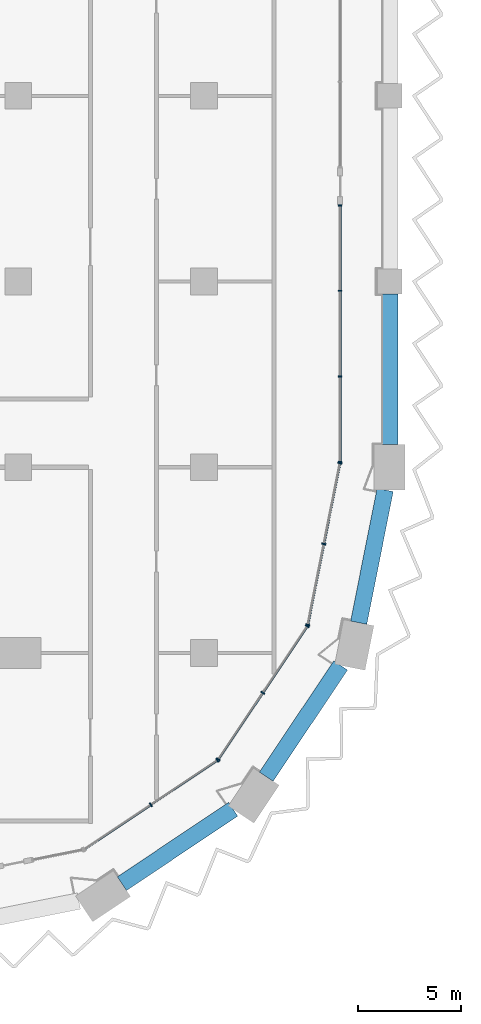
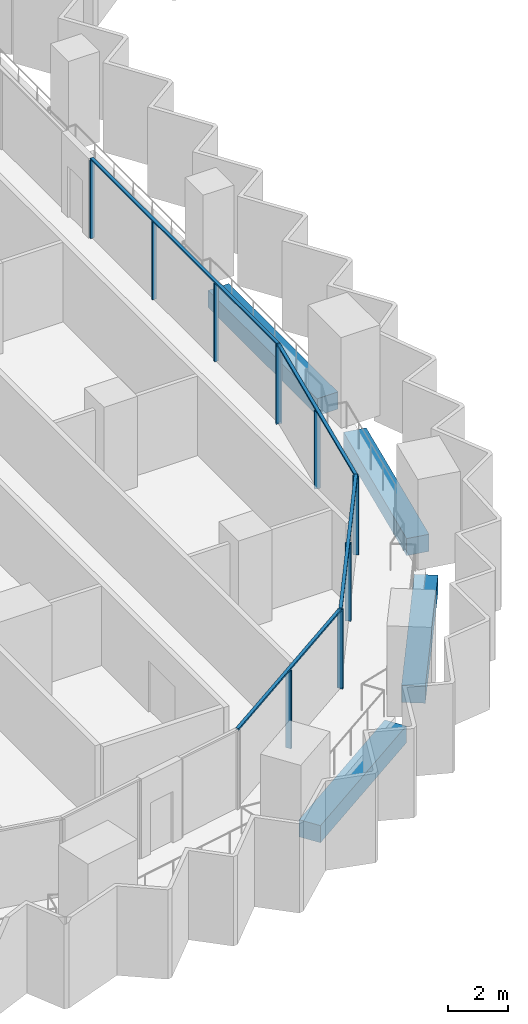
# One storey, part 3 of 23: 16 members, 4 beams, 4 elements without a shape of their own.
"""IFC4 building model written with IfcOpenShell, lengths in metres."""

from ifc_helpers import new_model, si_unit, direction, frame, origin, origin_2d, place, context, subcontext, project, spatial, rectangle, extrude, material, material_profile, profile_set, type_object, element, aggregate, save


model = new_model("IFC4")

# Units and contexts
model_context = context("Model", 3, precision=1e-05, world=origin(), true_north=direction((0.0, 1.0)))
body_context = subcontext(model_context, "Body", "Model", "MODEL_VIEW")
ifc_project = project(units=[si_unit("LENGTHUNIT", "METRE"), si_unit("AREAUNIT", "SQUARE_METRE"), si_unit("VOLUMEUNIT", "CUBIC_METRE"), si_unit("PLANEANGLEUNIT", "RADIAN"), si_unit("MASSUNIT", "GRAM", prefix="KILO")], contexts=[model_context])

# Site, building, storey
site_placement = place(None, origin())
site = spatial("IfcSite", under=ifc_project, at=site_placement, CompositionType="ELEMENT")
building_placement = place(site_placement, origin())
building = spatial("IfcBuilding", under=site, at=building_placement, Name="Hunhe Ridgeline Campus", CompositionType="ELEMENT")
storey_placement = place(building_placement, frame((0.0, 0.0, 125.5)))
storey = spatial("IfcBuildingStorey", under=building, at=storey_placement, Name="L31", CompositionType="ELEMENT", Elevation=125.5)

# Curtain wall, members
ifc_material_1 = material(Name="Aluminium 6063", Category="aluminium")
curtain_wall_type_1 = type_object("IfcCurtainWallType", Name="Curtain wall CW-1", PredefinedType="NOTDEFINED", material=ifc_material_1)
curtain_wall_1_placement = place(storey_placement, origin())
curtain_wall_1 = element("IfcCurtainWall", 1, at=curtain_wall_1_placement, inside=storey, type_object=curtain_wall_type_1, Name="Curtain wall 11", PredefinedType="NOTDEFINED")
ifc_material_profile_1 = material_profile(ifc_material_1, rectangle(XDim=0.159912109375, YDim=0.06005859375, at=origin_2d()))
ifc_profile_set_1 = profile_set([ifc_material_profile_1], Name="Aluminium 6063")
member_type_1 = type_object("IfcMemberType", Name="CW-1 aluminium mullion", PredefinedType="MULLION", material=ifc_profile_set_1)
member_1_placement = place(storey_placement, frame((42.59912109375, 27.266357421875, 0.0), z_axis=(0.0, 0.0, 1.0), x_axis=(-0.99999999994, 1.0975712e-05, 0.0)))
member_1 = element("IfcMember", 2, at=member_1_placement, type_object=member_type_1, Name="CW-1 mullion 1", PredefinedType="MULLION", context=body_context, shape_type="SweptSolid", body=[
    extrude(rectangle(XDim=0.159912109375, YDim=0.06005859375, at=origin_2d()), origin(), (0.0, 0.0, 1.0), 3.18994140625),
])
member_2_placement = place(storey_placement, frame((42.59912109375, 31.397216796875, 0.0), z_axis=(0.0, 0.0, 1.0), x_axis=(-0.99999999994, 1.0975712e-05, 0.0)))
member_2 = element("IfcMember", 3, at=member_2_placement, type_object=member_type_1, Name="CW-1 mullion 2", PredefinedType="MULLION", context=body_context, shape_type="SweptSolid", body=[
    extrude(rectangle(XDim=0.159912109375, YDim=0.06005859375, at=origin_2d()), origin(), (0.0, 0.0, 1.0), 3.18994140625),
])
member_3_placement = place(storey_placement, frame((42.59912109375, 35.557861328125, 0.0), z_axis=(0.0, 0.0, 1.0), x_axis=(-0.99999999994, 1.0975712e-05, 0.0)))
member_3 = element("IfcMember", 4, at=member_3_placement, type_object=member_type_1, Name="CW-1 mullion 3", PredefinedType="MULLION", context=body_context, shape_type="SweptSolid", body=[
    extrude(rectangle(XDim=0.159912109375, YDim=0.06005859375, at=origin_2d()), origin(), (0.0, 0.0, 1.0), 3.18994140625),
])
member_4_placement = place(storey_placement, frame((42.59912109375, 39.6884765625, 0.0), z_axis=(0.0, 0.0, 1.0), x_axis=(-0.99999999994, 1.0975712e-05, 0.0)))
member_4 = element("IfcMember", 5, at=member_4_placement, type_object=member_type_1, Name="CW-1 mullion 4", PredefinedType="MULLION", context=body_context, shape_type="SweptSolid", body=[
    extrude(rectangle(XDim=0.159912109375, YDim=0.06005859375, at=origin_2d()), origin(), (0.0, 0.0, 1.0), 3.18994140625),
])
ifc_material_profile_2 = material_profile(ifc_material_1, rectangle(XDim=0.1201171875, YDim=0.06005859375, at=origin_2d()))
ifc_profile_set_2 = profile_set([ifc_material_profile_2], Name="Aluminium 6063")
member_type_2 = type_object("IfcMemberType", Name="CW-1 aluminium transom", PredefinedType="USERDEFINED", material=ifc_profile_set_2)
member_5_placement = place(storey_placement, frame((42.59912109375, 27.236572265625, 3.219970703125), z_axis=(0.0, 1.0, 0.0), x_axis=(-1.0, 0.0, 0.0)))
member_5 = element("IfcMember", 6, at=member_5_placement, type_object=member_type_2, Name="CW-1 transom 1", ObjectType="TRANSOM", PredefinedType="USERDEFINED", context=body_context, shape_type="SweptSolid", body=[
    extrude(rectangle(XDim=0.1201171875, YDim=0.06005859375, at=origin_2d()), origin(), (0.0, 0.0, 1.0), 12.48193359375),
])
aggregate(curtain_wall_1, [member_5, member_1, member_2, member_3, member_4])

curtain_wall_type_2 = type_object("IfcCurtainWallType", Name="Curtain wall CW-5", PredefinedType="NOTDEFINED", material=ifc_material_1)
curtain_wall_2_placement = place(storey_placement, origin())
curtain_wall_2 = element("IfcCurtainWall", 7, at=curtain_wall_2_placement, inside=storey, type_object=curtain_wall_type_2, Name="Curtain wall 08", PredefinedType="NOTDEFINED")
ifc_material_profile_3 = material_profile(ifc_material_1, rectangle(XDim=0.199951171875, YDim=0.070068359375, at=origin_2d()))
ifc_profile_set_3 = profile_set([ifc_material_profile_3], Name="Aluminium 6063")
member_type_3 = type_object("IfcMemberType", Name="CW-5 aluminium mullion", PredefinedType="MULLION", material=ifc_profile_set_3)
member_6_placement = place(storey_placement, frame((33.42626953125, 10.647705078125, 0.0), z_axis=(0.0, 0.0, 1.0), x_axis=(-0.555570274596, 0.831469584522, 0.0)))
member_6 = element("IfcMember", 8, at=member_6_placement, type_object=member_type_3, Name="CW-5 mullion 2", PredefinedType="MULLION", context=body_context, shape_type="SweptSolid", body=[
    extrude(rectangle(XDim=0.199951171875, YDim=0.070068359375, at=origin_2d()), origin(), (0.0, 0.0, 1.0), 3.179931640625),
])
member_7_placement = place(storey_placement, frame((36.649658203125, 12.8017578125, 0.0), z_axis=(0.0, 0.0, 1.0), x_axis=(-0.555570274596, 0.831469584522, 0.0)))
member_7 = element("IfcMember", 9, at=member_7_placement, type_object=member_type_3, Name="CW-5 mullion 3", PredefinedType="MULLION", context=body_context, shape_type="SweptSolid", body=[
    extrude(rectangle(XDim=0.199951171875, YDim=0.070068359375, at=origin_2d()), origin(), (0.0, 0.0, 1.0), 3.179931640625),
])

curtain_wall_3_placement = place(storey_placement, origin())
curtain_wall_3 = element("IfcCurtainWall", 10, at=curtain_wall_3_placement, inside=storey, type_object=curtain_wall_type_2, Name="Curtain wall 09", PredefinedType="NOTDEFINED")
member_8_placement = place(storey_placement, frame((36.6982421875, 12.850341796875, 0.0), z_axis=(0.0, 0.0, 1.0), x_axis=(-0.831469584522, 0.555570274596, 0.0)))
member_8 = element("IfcMember", 11, at=member_8_placement, type_object=member_type_3, Name="CW-5 mullion 1", PredefinedType="MULLION", context=body_context, shape_type="SweptSolid", body=[
    extrude(rectangle(XDim=0.199951171875, YDim=0.070068359375, at=origin_2d()), origin(), (0.0, 0.0, 1.0), 3.179931640625),
])
member_9_placement = place(storey_placement, frame((38.852294921875, 16.07373046875, 0.0), z_axis=(0.0, 0.0, 1.0), x_axis=(-0.831469584522, 0.555570274596, 0.0)))
member_9 = element("IfcMember", 12, at=member_9_placement, type_object=member_type_3, Name="CW-5 mullion 2", PredefinedType="MULLION", context=body_context, shape_type="SweptSolid", body=[
    extrude(rectangle(XDim=0.199951171875, YDim=0.070068359375, at=origin_2d()), origin(), (0.0, 0.0, 1.0), 3.179931640625),
])
member_10_placement = place(storey_placement, frame((41.006103515625, 19.29736328125, 0.0), z_axis=(0.0, 0.0, 1.0), x_axis=(-0.831469584522, 0.555570274596, 0.0)))
member_10 = element("IfcMember", 13, at=member_10_placement, type_object=member_type_3, Name="CW-5 mullion 3", PredefinedType="MULLION", context=body_context, shape_type="SweptSolid", body=[
    extrude(rectangle(XDim=0.199951171875, YDim=0.070068359375, at=origin_2d()), origin(), (0.0, 0.0, 1.0), 3.179931640625),
])

curtain_wall_4_placement = place(storey_placement, origin())
curtain_wall_4 = element("IfcCurtainWall", 14, at=curtain_wall_4_placement, inside=storey, type_object=curtain_wall_type_2, Name="Curtain wall 10", PredefinedType="NOTDEFINED")
member_11_placement = place(storey_placement, frame((41.032470703125, 19.36083984375, 0.0), z_axis=(0.0, 0.0, 1.0), x_axis=(-0.980785284939, 0.195090299215, 0.0)))
member_11 = element("IfcMember", 15, at=member_11_placement, type_object=member_type_3, Name="CW-5 mullion 1", PredefinedType="MULLION", context=body_context, shape_type="SweptSolid", body=[
    extrude(rectangle(XDim=0.199951171875, YDim=0.070068359375, at=origin_2d()), origin(), (0.0, 0.0, 1.0), 3.179931640625),
])
member_12_placement = place(storey_placement, frame((41.812255859375, 23.281494140625, 0.0), z_axis=(0.0, 0.0, 1.0), x_axis=(-0.980785284939, 0.195090299215, 0.0)))
member_12 = element("IfcMember", 16, at=member_12_placement, type_object=member_type_3, Name="CW-5 mullion 2", PredefinedType="MULLION", context=body_context, shape_type="SweptSolid", body=[
    extrude(rectangle(XDim=0.199951171875, YDim=0.070068359375, at=origin_2d()), origin(), (0.0, 0.0, 1.0), 3.179931640625),
])
member_13_placement = place(storey_placement, frame((42.59228515625, 27.2021484375, 0.0), z_axis=(0.0, 0.0, 1.0), x_axis=(-0.980785284939, 0.195090299215, 0.0)))
member_13 = element("IfcMember", 17, at=member_13_placement, type_object=member_type_3, Name="CW-5 mullion 3", PredefinedType="MULLION", context=body_context, shape_type="SweptSolid", body=[
    extrude(rectangle(XDim=0.199951171875, YDim=0.070068359375, at=origin_2d()), origin(), (0.0, 0.0, 1.0), 3.179931640625),
])

# Member
ifc_material_profile_4 = material_profile(ifc_material_1, rectangle(XDim=0.1201171875, YDim=0.070068359375, at=origin_2d()))
ifc_profile_set_4 = profile_set([ifc_material_profile_4], Name="Aluminium 6063")
member_type_4 = type_object("IfcMemberType", Name="CW-5 aluminium transom", PredefinedType="USERDEFINED", material=ifc_profile_set_4)
member_14_placement = place(storey_placement, frame((30.173583984375, 8.474365234375, 3.215087890625), z_axis=(0.831473763475, 0.5555640203, 0.0), x_axis=(-0.5555640203, 0.831473763475, 0.0)))
member_14 = element("IfcMember", 18, at=member_14_placement, type_object=member_type_4, Name="CW-5 transom 1", ObjectType="TRANSOM", PredefinedType="USERDEFINED", context=body_context, shape_type="SweptSolid", body=[
    extrude(rectangle(XDim=0.1201171875, YDim=0.070068359375, at=origin_2d()), origin(), (0.0, 0.0, 1.0), 7.823974609375),
])

aggregate(curtain_wall_2, [member_14, member_6, member_7])

member_15_placement = place(storey_placement, frame((36.678955078125, 12.821044921875, 3.215087890625), z_axis=(0.5555640203, 0.831473763475, 0.0), x_axis=(-0.831473763475, 0.5555640203, 0.0)))
member_15 = element("IfcMember", 19, at=member_15_placement, type_object=member_type_4, Name="CW-5 transom 1", ObjectType="TRANSOM", PredefinedType="USERDEFINED", context=body_context, shape_type="SweptSolid", body=[
    extrude(rectangle(XDim=0.1201171875, YDim=0.070068359375, at=origin_2d()), origin(), (0.0, 0.0, 1.0), 7.823974609375),
])

aggregate(curtain_wall_3, [member_15, member_8, member_9, member_10])

member_16_placement = place(storey_placement, frame((41.025634765625, 19.326416015625, 3.215087890625), z_axis=(0.195097290093, 0.980783894341, 0.0), x_axis=(-0.980783894341, 0.195097290093, 0.0)))
member_16 = element("IfcMember", 20, at=member_16_placement, type_object=member_type_4, Name="CW-5 transom 1", ObjectType="TRANSOM", PredefinedType="USERDEFINED", context=body_context, shape_type="SweptSolid", body=[
    extrude(rectangle(XDim=0.1201171875, YDim=0.070068359375, at=origin_2d()), origin(), (0.0, 0.0, 1.0), 8.065185546875),
])

aggregate(curtain_wall_4, [member_16, member_11, member_12, member_13])

# Beams
ifc_material_2 = material(Name="Concrete C60", Category="concrete")
ifc_material_profile_5 = material_profile(ifc_material_2, rectangle(XDim=0.800048828125, YDim=0.699951171875, at=origin_2d()))
ifc_profile_set_5 = profile_set([ifc_material_profile_5], Name="Concrete C60")
beam_type = type_object("IfcBeamType", Name="RC spandrel beam 800x700 Concrete C60", PredefinedType="SPANDREL", material=ifc_profile_set_5)
for number, where, z_axis, x_axis, name in (
    (21, (32.02490234375, 6.82373046875, -0.60009765625), (0.831459384183, 0.555585540178, 0.0), (-0.555585540178, 0.831459384183, 0.0), "Spandrel beam B1-6 L31"),
    (22, (39.02099609375, 12.004638671875, -0.60009765625), (0.555559527577, 0.831476765351, 0.0), (-0.831476765351, 0.555559527577, 0.0), "Spandrel beam B1-7 L31"),
):
    element("IfcBeam", number, at=place(storey_placement, frame(where, z_axis=z_axis, x_axis=x_axis)), inside=storey, type_object=beam_type, Name=name, PredefinedType="SPANDREL", context=body_context, shape_type="SweptSolid", body=[
        extrude(rectangle(XDim=0.800048828125, YDim=0.699951171875, at=origin_2d()), origin(), (0.0, 0.0, 1.0), 6.488525390625),
    ])
beam_1_placement = place(storey_placement, frame((43.501953125, 19.468505859375, -0.60009765625), z_axis=(0.195092166671, 0.980784913477, 0.0), x_axis=(-0.980784913477, 0.195092166671, 0.0)))
element("IfcBeam", 23, at=beam_1_placement, inside=storey, type_object=beam_type, Name="Spandrel beam B1-8 L31", PredefinedType="SPANDREL", context=body_context, shape_type="SweptSolid", body=[
    extrude(rectangle(XDim=0.800048828125, YDim=0.699951171875, at=origin_2d()), origin(), (0.0, 0.0, 1.0), 6.557373046875),
])
beam_2_placement = place(storey_placement, frame((45.0, 28.10009765625, -0.60009765625), z_axis=(0.0, 1.0, 0.0), x_axis=(-1.0, 0.0, 0.0)))
element("IfcBeam", 24, at=beam_2_placement, inside=storey, type_object=beam_type, Name="Spandrel beam B1-9 L31", PredefinedType="SPANDREL", context=body_context, shape_type="SweptSolid", body=[
    extrude(rectangle(XDim=0.800048828125, YDim=0.699951171875, at=origin_2d()), origin(), (0.0, 0.0, 1.0), 7.2998046875),
])

save(model, "model.ifc")
